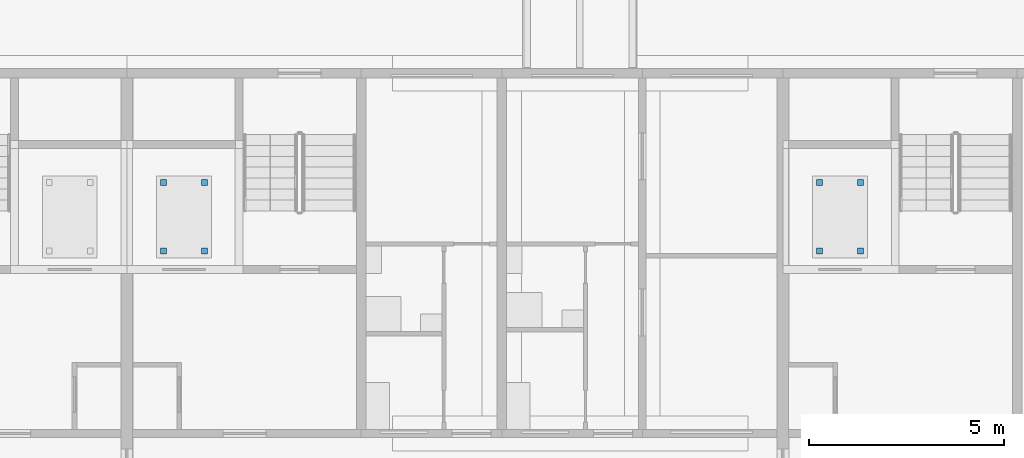
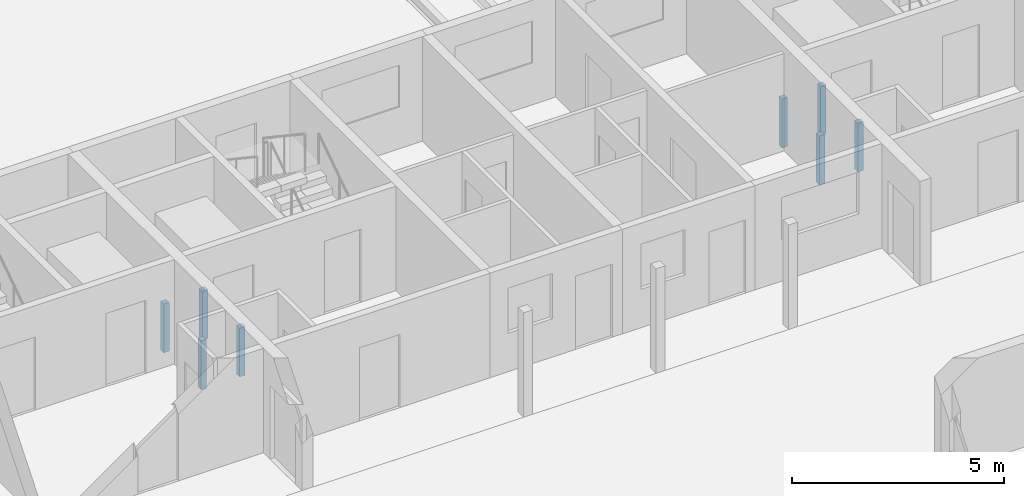
# One storey, part 78 of 112: 8 discrete accessories.
"""IFC4 building model written with IfcOpenShell, lengths in metres."""

from ifc_helpers import new_model, si_unit, direction, frame, origin, origin_2d, place, context, subcontext, project, spatial, rectangle, extrude, material, type_object, element, save


model = new_model("IFC4")

# Units and contexts
model_context = context("Model", 3, precision=1e-05, world=origin(), true_north=direction((0.0, 1.0)))
body_context = subcontext(model_context, "Body", "Model", "MODEL_VIEW")
ifc_project = project(units=[si_unit("LENGTHUNIT", "METRE"), si_unit("AREAUNIT", "SQUARE_METRE"), si_unit("VOLUMEUNIT", "CUBIC_METRE"), si_unit("PLANEANGLEUNIT", "RADIAN"), si_unit("MASSUNIT", "GRAM", prefix="KILO")], contexts=[model_context])

# Site, building, storey
site_placement = place(None, origin())
site = spatial("IfcSite", under=ifc_project, at=site_placement, CompositionType="ELEMENT")
building_placement = place(site_placement, origin())
building = spatial("IfcBuilding", under=site, at=building_placement, Name="Ridgestep Commons", CompositionType="ELEMENT")
storey_placement = place(building_placement, origin())
storey = spatial("IfcBuildingStorey", under=building, at=storey_placement, Name="L00", CompositionType="ELEMENT", Elevation=0.0)

# Discrete accessories
ifc_material = material(Name="Structural steel S355JR", Category="steel")
discrete_accessory_type = type_object("IfcDiscreteAccessoryType", Name="Lift buffer stand 150 x 150", PredefinedType="BRACKET", material=ifc_material)
for number, where, z_axis, x_axis, name in (
    (1, (80.137451171875, 72.574951171875, -1.39990234375), (0.0, 0.0, 1.0), (1.0, 0.0, 0.0), "Lift buffer stand B5C 1"),
    (2, (81.1875, 72.574951171875, -1.39990234375), (0.0, 0.0, 1.0), (1.0, 0.0, 0.0), "Lift buffer stand B5C 2"),
    (3, (80.137451171875, 74.324951171875, -1.39990234375), (0.0, 0.0, 1.0), (1.0, 0.0, 0.0), "Lift buffer stand B5C 3"),
    (4, (81.1875, 74.324951171875, -1.39990234375), (0.0, 0.0, 1.0), (1.0, 0.0, 0.0), "Lift buffer stand B5C 4"),
    (5, (96.9375, 72.574951171875, -1.39990234375), (0.0, 0.0, 1.0), (1.0, 0.0, 0.0), "Lift buffer stand B6C 1"),
    (6, (97.987548828125, 72.574951171875, -1.39990234375), (0.0, 0.0, 1.0), (1.0, 0.0, 0.0), "Lift buffer stand B6C 2"),
    (7, (96.9375, 74.324951171875, -1.39990234375), (0.0, 0.0, 1.0), (1.0, 0.0, 0.0), "Lift buffer stand B6C 3"),
    (8, (97.987548828125, 74.324951171875, -1.39990234375), (0.0, 0.0, 1.0), (1.0, 0.0, 0.0), "Lift buffer stand B6C 4"),
):
    element("IfcDiscreteAccessory", number, at=place(storey_placement, frame(where, z_axis=z_axis, x_axis=x_axis)), inside=storey, type_object=discrete_accessory_type, Name=name, PredefinedType="BRACKET", context=body_context, shape_type="SweptSolid", body=[
        extrude(rectangle(XDim=0.14990234375, YDim=0.14990234375, at=origin_2d()), origin(), (0.0, 0.0, 1.0), 1.39990234375),
    ])

save(model, "model.ifc")
